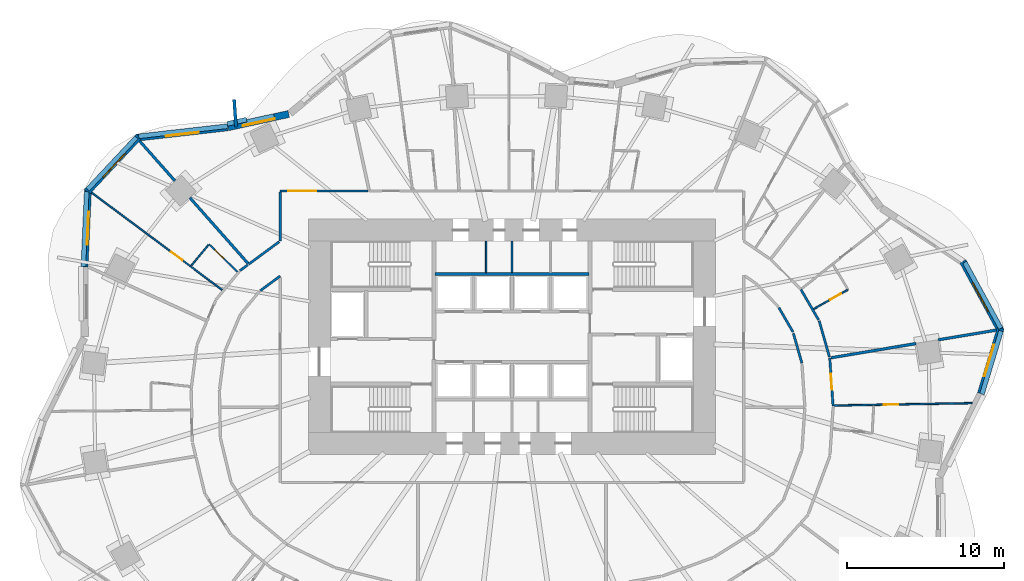
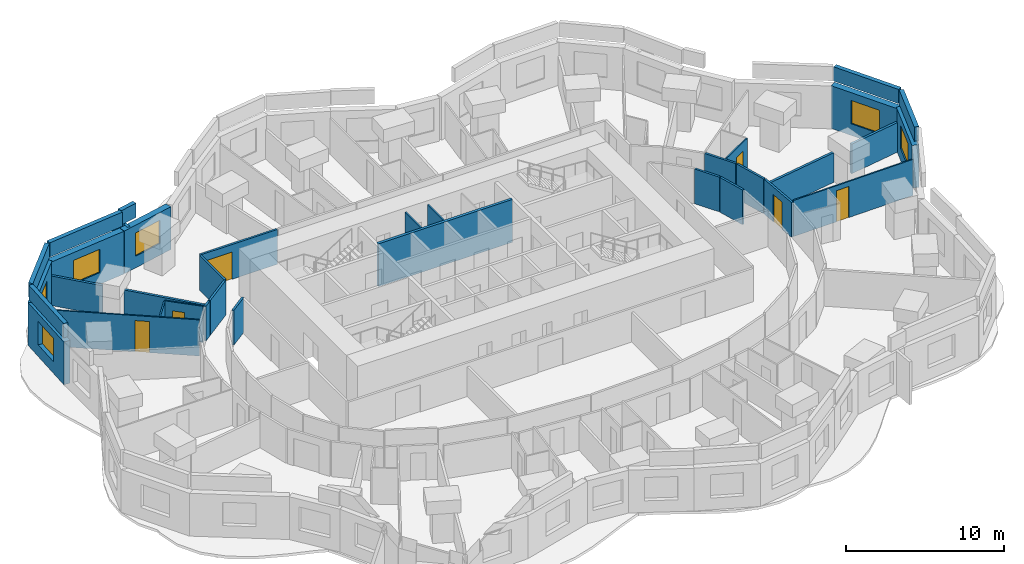
# One storey, part 8 of 12: 35 walls, 6 doors, 6 windows, 12 openings.
"""IFC4 building model written with IfcOpenShell, lengths in metres."""

from ifc_helpers import new_model, si_unit, direction, frame, frame_2d, origin, place, context, subcontext, project, spatial, rectangle, extrude, material, layer, layer_set, type_object, element, fill, save


model = new_model("IFC4")

# Units and contexts
model_context = context("Model", 3, precision=1e-05, world=origin(), true_north=direction((0.0, 1.0)))
body_context = subcontext(model_context, "Body", "Model", "MODEL_VIEW")
ifc_project = project(units=[si_unit("LENGTHUNIT", "METRE"), si_unit("AREAUNIT", "SQUARE_METRE"), si_unit("VOLUMEUNIT", "CUBIC_METRE"), si_unit("PLANEANGLEUNIT", "RADIAN"), si_unit("MASSUNIT", "GRAM", prefix="KILO")], contexts=[model_context])

# Site, building, storey
site_placement = place(None, origin())
site = spatial("IfcSite", under=ifc_project, at=site_placement, CompositionType="ELEMENT")
building_placement = place(site_placement, origin())
building = spatial("IfcBuilding", under=site, at=building_placement, Name="Rubra Terraces Tower", CompositionType="ELEMENT")
storey_placement = place(building_placement, frame((0.0, 0.0, 73.5)))
storey = spatial("IfcBuildingStorey", under=building, at=storey_placement, Name="L16", CompositionType="ELEMENT", Elevation=73.5)

# Walls
ifc_material_1 = material(Name="Twin plasterboard on staggered steel stud, acoustic mineral wool", Category="steel")
ifc_layer_1 = layer(ifc_material_1, 0.175048828125)
ifc_layer_set_1 = layer_set([ifc_layer_1], Name="Twin plasterboard on staggered steel stud, acoustic mineral wool")
wall_type_1 = type_object("IfcWallType", Name="ACOUSTIC PARTY WALL 175 LOW HEAD", PredefinedType="PARTITIONING", material=ifc_layer_set_1)
wall_1_placement = place(storey_placement, frame((-23.767333984375, 16.9951171875, 0.0), z_axis=(0.0, 0.0, 1.0), x_axis=(0.662714726813, -0.748871945572, 0.0)))
element("IfcWall", 1, at=wall_1_placement, inside=storey, type_object=wall_type_1, Name="PARTITION", PredefinedType="PARTITIONING", context=body_context, shape_type="SweptSolid", body=[
    extrude(rectangle(XDim=3.4033203125, YDim=0.175048828125, at=frame_2d((1.70166015625, 0.0))), origin(), (0.0, 0.0, 1.0), 2.280029296875),
])
wall_2_placement = place(storey_placement, frame((-20.5576171875, 13.3681640625, 0.0), z_axis=(0.0, 0.0, 1.0), x_axis=(0.662734219401, -0.748854695141, 0.0)))
element("IfcWall", 2, at=wall_2_placement, inside=storey, type_object=wall_type_1, Name="PARTITION", PredefinedType="PARTITIONING", context=body_context, shape_type="SweptSolid", body=[
    extrude(rectangle(XDim=5.584716796875, YDim=0.175048828125, at=frame_2d((2.79248046875, 0.0))), origin(), (0.0, 0.0, 1.0), 2.280029296875),
])
wall_3_placement = place(storey_placement, frame((30.914306640625, 4.923095703125, 0.0), z_axis=(0.0, 0.0, 1.0), x_axis=(-0.986255007441, -0.165230324995, 0.0)))
element("IfcWall", 3, at=wall_3_placement, inside=storey, type_object=wall_type_1, Name="PARTITION", PredefinedType="PARTITIONING", context=body_context, shape_type="SweptSolid", body=[
    extrude(rectangle(XDim=3.761962890625, YDim=0.175048828125, at=frame_2d((1.880859375, 0.0))), origin(), (0.0, 0.0, 1.0), 2.280029296875),
])
wall_4_placement = place(storey_placement, frame((25.78369140625, 4.063720703125, 0.0), z_axis=(0.0, 0.0, 1.0), x_axis=(-0.986264115996, -0.165175947092, 0.0)))
element("IfcWall", 4, at=wall_4_placement, inside=storey, type_object=wall_type_1, Name="PARTITION", PredefinedType="PARTITIONING", context=body_context, shape_type="SweptSolid", body=[
    extrude(rectangle(XDim=5.5029296875, YDim=0.175048828125, at=frame_2d((2.75146484375, 0.0))), origin(), (0.0, 0.0, 1.0), 2.280029296875),
])

# Wall, opening, window
ifc_material_2 = material(Name="Brick masonry red-brown", Category="masonry")
ifc_layer_2 = layer(ifc_material_2, 0.449951171875)
ifc_layer_set_2 = layer_set([ifc_layer_2], Name="Brick masonry red-brown")
wall_type_2 = type_object("IfcWallType", Name="Brick facade wall 450", PredefinedType="SOLIDWALL", material=ifc_layer_set_2)
wall_5_placement = place(storey_placement, frame((29.926513671875, 0.86474609375, 0.0), z_axis=(0.0, 0.0, 1.0), x_axis=(0.289432445378, 0.957198443147, 0.0)))
wall_5 = element("IfcWall", 5, at=wall_5_placement, inside=storey, type_object=wall_type_2, Name="Facade wall L16 bay 1", PredefinedType="SOLIDWALL", context=body_context, shape_type="SweptSolid", body=[
    extrude(rectangle(XDim=4.361083984375, YDim=0.449951171875, at=frame_2d((2.1806640625, 0.0))), origin(), (0.0, 0.0, 1.0), 3.300048828125),
])
opening_1_placement = place(wall_5_placement, frame((1.130615234375, 0.0, 0.89990234375)))
opening_1 = element("IfcOpeningElement", 6, at=opening_1_placement, cuts=wall_5, Name="Opening W1Z", PredefinedType="OPENING", context=body_context, shape_type="SweptSolid", body=[
    extrude(rectangle(XDim=2.10009765625, YDim=1.800048828125, at=frame_2d((1.050048828125, 0.89990234375))), frame((0.0, 0.23486328125, 0.0), z_axis=(0.0, -1.0, 0.0), x_axis=(1.0, 0.0, 0.0)), (0.0, 0.0, 1.0), 0.469970703125),
])
ifc_material_3 = material(Name="Clear glass in aluminium frame", Category="aluminium")
window_type = type_object("IfcWindowType", Name="Fixed deep-set window under transfer level 2100 x 1800", PartitioningType="SINGLE_PANEL", PredefinedType="WINDOW", material=ifc_material_3)
window_1_placement = place(opening_1_placement, origin())
window_1 = element("IfcWindow", 7, at=window_1_placement, inside=storey, type_object=window_type, Name="Window L16 bay 1", OverallHeight=1.800048828125, OverallWidth=2.10009765625, PartitioningType="SINGLE_PANEL", PredefinedType="WINDOW", context=body_context, shape_type="SweptSolid", body=[
    extrude(rectangle(XDim=2.10009765625, YDim=1.800048828125, at=frame_2d((1.050048828125, 0.89990234375))), frame((0.0, 0.135009765625, 0.0), z_axis=(0.0, -1.0, 0.0), x_axis=(1.0, 0.0, 0.0)), (0.0, 0.0, 1.0), 0.06005859375),
])
fill(opening_1, window_1)

wall_6_placement = place(storey_placement, frame((31.20654296875, 4.8662109375, 0.0), z_axis=(0.0, 0.0, 1.0), x_axis=(-0.479565142605, 0.877506281458, 0.0)))
wall_6 = element("IfcWall", 8, at=wall_6_placement, inside=storey, type_object=wall_type_2, Name="Facade wall L16 bay 2", PredefinedType="SOLIDWALL", context=body_context, shape_type="SweptSolid", body=[
    extrude(rectangle(XDim=5.060791015625, YDim=0.449951171875, at=frame_2d((2.5302734375, 0.0))), origin(), (0.0, 0.0, 1.0), 3.300048828125),
])
opening_2_placement = place(wall_6_placement, frame((1.48046875, 0.0, 0.89990234375)))
opening_2 = element("IfcOpeningElement", 9, at=opening_2_placement, cuts=wall_6, Name="Opening W1Z", PredefinedType="OPENING", context=body_context, shape_type="SweptSolid", body=[
    extrude(rectangle(XDim=2.10009765625, YDim=1.800048828125, at=frame_2d((1.050048828125, 0.89990234375))), frame((0.0, 0.23486328125, 0.0), z_axis=(0.0, -1.0, 0.0), x_axis=(1.0, 0.0, 0.0)), (0.0, 0.0, 1.0), 0.469970703125),
])
window_2_placement = place(opening_2_placement, origin())
window_2 = element("IfcWindow", 10, at=window_2_placement, inside=storey, type_object=window_type, Name="Window L16 bay 2", OverallHeight=1.800048828125, OverallWidth=2.10009765625, PartitioningType="SINGLE_PANEL", PredefinedType="WINDOW", context=body_context, shape_type="SweptSolid", body=[
    extrude(rectangle(XDim=2.10009765625, YDim=1.800048828125, at=frame_2d((1.050048828125, 0.89990234375))), frame((0.0, 0.135009765625, 0.0), z_axis=(0.0, -1.0, 0.0), x_axis=(1.0, 0.0, 0.0)), (0.0, 0.0, 1.0), 0.06005859375),
])
fill(opening_2, window_2)

wall_7_placement = place(storey_placement, frame((-14.250732421875, 18.71826171875, 0.0), z_axis=(0.0, 0.0, 1.0), x_axis=(-0.976903627618, -0.213680374267, 0.0)))
wall_7 = element("IfcWall", 11, at=wall_7_placement, inside=storey, type_object=wall_type_2, Name="Facade wall L16 bay 15", PredefinedType="SOLIDWALL", context=body_context, shape_type="SweptSolid", body=[
    extrude(rectangle(XDim=3.970458984375, YDim=0.449951171875, at=frame_2d((1.9853515625, 0.0))), origin(), (0.0, 0.0, 1.0), 3.300048828125),
])
opening_3_placement = place(wall_7_placement, frame((0.93505859375, 0.0, 0.89990234375)))
opening_3 = element("IfcOpeningElement", 12, at=opening_3_placement, cuts=wall_7, Name="Opening W1Z", PredefinedType="OPENING", context=body_context, shape_type="SweptSolid", body=[
    extrude(rectangle(XDim=2.10009765625, YDim=1.800048828125, at=frame_2d((1.050048828125, 0.89990234375))), frame((0.0, 0.23486328125, 0.0), z_axis=(0.0, -1.0, 0.0), x_axis=(1.0, 0.0, 0.0)), (0.0, 0.0, 1.0), 0.469970703125),
])
window_3_placement = place(opening_3_placement, origin())
window_3 = element("IfcWindow", 13, at=window_3_placement, inside=storey, type_object=window_type, Name="Window L16 bay 15", OverallHeight=1.800048828125, OverallWidth=2.10009765625, PartitioningType="SINGLE_PANEL", PredefinedType="WINDOW", context=body_context, shape_type="SweptSolid", body=[
    extrude(rectangle(XDim=2.10009765625, YDim=1.800048828125, at=frame_2d((1.050048828125, 0.89990234375))), frame((0.0, 0.135009765625, 0.0), z_axis=(0.0, -1.0, 0.0), x_axis=(1.0, 0.0, 0.0)), (0.0, 0.0, 1.0), 0.06005859375),
])
fill(opening_3, window_3)

wall_8_placement = place(storey_placement, frame((-18.154296875, 17.864990234375, 0.0), z_axis=(0.0, 0.0, 1.0), x_axis=(-0.993572909097, -0.113193967633, 0.0)))
wall_8 = element("IfcWall", 14, at=wall_8_placement, inside=storey, type_object=wall_type_2, Name="Facade wall L16 bay 16", PredefinedType="SOLIDWALL", context=body_context, shape_type="SweptSolid", body=[
    extrude(rectangle(XDim=5.838623046875, YDim=0.449951171875, at=frame_2d((2.91943359375, 0.0))), origin(), (0.0, 0.0, 1.0), 3.300048828125),
])
opening_4_placement = place(wall_8_placement, frame((1.869384765625, 0.0, 0.89990234375)))
opening_4 = element("IfcOpeningElement", 15, at=opening_4_placement, cuts=wall_8, Name="Opening W1Z", PredefinedType="OPENING", context=body_context, shape_type="SweptSolid", body=[
    extrude(rectangle(XDim=2.10009765625, YDim=1.800048828125, at=frame_2d((1.050048828125, 0.89990234375))), frame((0.0, 0.23486328125, 0.0), z_axis=(0.0, -1.0, 0.0), x_axis=(1.0, 0.0, 0.0)), (0.0, 0.0, 1.0), 0.469970703125),
])
window_4_placement = place(opening_4_placement, origin())
window_4 = element("IfcWindow", 16, at=window_4_placement, inside=storey, type_object=window_type, Name="Window L16 bay 16", OverallHeight=1.800048828125, OverallWidth=2.10009765625, PartitioningType="SINGLE_PANEL", PredefinedType="WINDOW", context=body_context, shape_type="SweptSolid", body=[
    extrude(rectangle(XDim=2.10009765625, YDim=1.800048828125, at=frame_2d((1.050048828125, 0.89990234375))), frame((0.0, 0.135009765625, 0.0), z_axis=(0.0, -1.0, 0.0), x_axis=(1.0, 0.0, 0.0)), (0.0, 0.0, 1.0), 0.06005859375),
])
fill(opening_4, window_4)

wall_9_placement = place(storey_placement, frame((-23.822021484375, 17.273193359375, 0.0), z_axis=(0.0, 0.0, 1.0), x_axis=(-0.684173167988, -0.729319598122, 0.0)))
wall_9 = element("IfcWall", 17, at=wall_9_placement, inside=storey, type_object=wall_type_2, Name="Facade wall L16 bay 17", PredefinedType="SOLIDWALL", context=body_context, shape_type="SweptSolid", body=[
    extrude(rectangle(XDim=4.8291015625, YDim=0.449951171875, at=frame_2d((2.41455078125, 0.0))), origin(), (0.0, 0.0, 1.0), 3.300048828125),
])
opening_5_placement = place(wall_9_placement, frame((1.364501953125, 0.0, 0.89990234375)))
opening_5 = element("IfcOpeningElement", 18, at=opening_5_placement, cuts=wall_9, Name="Opening W1Z", PredefinedType="OPENING", context=body_context, shape_type="SweptSolid", body=[
    extrude(rectangle(XDim=2.10009765625, YDim=1.800048828125, at=frame_2d((1.050048828125, 0.89990234375))), frame((0.0, 0.23486328125, 0.0), z_axis=(0.0, -1.0, 0.0), x_axis=(1.0, 0.0, 0.0)), (0.0, 0.0, 1.0), 0.469970703125),
])
window_5_placement = place(opening_5_placement, origin())
window_5 = element("IfcWindow", 19, at=window_5_placement, inside=storey, type_object=window_type, Name="Window L16 bay 17", OverallHeight=1.800048828125, OverallWidth=2.10009765625, PartitioningType="SINGLE_PANEL", PredefinedType="WINDOW", context=body_context, shape_type="SweptSolid", body=[
    extrude(rectangle(XDim=2.10009765625, YDim=1.800048828125, at=frame_2d((1.050048828125, 0.89990234375))), frame((0.0, 0.135009765625, 0.0), z_axis=(0.0, -1.0, 0.0), x_axis=(1.0, 0.0, 0.0)), (0.0, 0.0, 1.0), 0.06005859375),
])
fill(opening_5, window_5)

wall_10_placement = place(storey_placement, frame((-27.0654296875, 13.889892578125, 0.0), z_axis=(0.0, 0.0, 1.0), x_axis=(-0.044544250924, -0.99900741224, 0.0)))
wall_10 = element("IfcWall", 20, at=wall_10_placement, inside=storey, type_object=wall_type_2, Name="Facade wall L16 bay 18", PredefinedType="SOLIDWALL", context=body_context, shape_type="SweptSolid", body=[
    extrude(rectangle(XDim=4.938232421875, YDim=0.449951171875, at=frame_2d((2.46923828125, 0.0))), origin(), (0.0, 0.0, 1.0), 3.300048828125),
])
opening_6_placement = place(wall_10_placement, frame((1.419189453125, 0.0, 0.89990234375)))
opening_6 = element("IfcOpeningElement", 21, at=opening_6_placement, cuts=wall_10, Name="Opening W1Z", PredefinedType="OPENING", context=body_context, shape_type="SweptSolid", body=[
    extrude(rectangle(XDim=2.10009765625, YDim=1.800048828125, at=frame_2d((1.050048828125, 0.89990234375))), frame((0.0, 0.23486328125, 0.0), z_axis=(0.0, -1.0, 0.0), x_axis=(1.0, 0.0, 0.0)), (0.0, 0.0, 1.0), 0.469970703125),
])
window_6_placement = place(opening_6_placement, origin())
window_6 = element("IfcWindow", 22, at=window_6_placement, inside=storey, type_object=window_type, Name="Window L16 bay 18", OverallHeight=1.800048828125, OverallWidth=2.10009765625, PartitioningType="SINGLE_PANEL", PredefinedType="WINDOW", context=body_context, shape_type="SweptSolid", body=[
    extrude(rectangle(XDim=2.10009765625, YDim=1.800048828125, at=frame_2d((1.050048828125, 0.89990234375))), frame((0.0, 0.135009765625, 0.0), z_axis=(0.0, -1.0, 0.0), x_axis=(1.0, 0.0, 0.0)), (0.0, 0.0, 1.0), 0.06005859375),
])
fill(opening_6, window_6)

# Walls
ifc_layer_3 = layer(ifc_material_2, 0.300048828125)
ifc_layer_set_3 = layer_set([ifc_layer_3], Name="Brick masonry red-brown")
wall_type_3 = type_object("IfcWallType", Name="Brick parapet 300", PredefinedType="PARAPET", material=ifc_layer_set_3)
wall_11_placement = place(storey_placement, frame((29.998291015625, 0.843017578125, 3.60009765625), z_axis=(0.0, 0.0, 1.0), x_axis=(0.289403108737, 0.95720731331, 0.0)))
element("IfcWall", 23, at=wall_11_placement, inside=storey, type_object=wall_type_3, Name="Parapet L16 bay 1", PredefinedType="PARAPET", context=body_context, shape_type="SweptSolid", body=[
    extrude(rectangle(XDim=4.205322265625, YDim=0.300048828125, at=frame_2d((2.1025390625, 0.0))), origin(), (0.0, 0.0, 1.0), 1.099853515625),
])
wall_12_placement = place(storey_placement, frame((31.19775390625, 5.038818359375, 3.60009765625), z_axis=(0.0, 0.0, 1.0), x_axis=(-0.479564593641, 0.877506581472, 0.0)))
element("IfcWall", 24, at=wall_12_placement, inside=storey, type_object=wall_type_3, Name="Parapet L16 bay 2", PredefinedType="PARAPET", context=body_context, shape_type="SweptSolid", body=[
    extrude(rectangle(XDim=4.80078125, YDim=0.300048828125, at=frame_2d((2.400390625, 0.0))), origin(), (0.0, 0.0, 1.0), 1.099853515625),
])
wall_13_placement = place(storey_placement, frame((-16.942626953125, 18.359619140625, 3.60009765625), z_axis=(0.0, 0.0, 1.0), x_axis=(-0.976910180777, -0.213650412343, 0.0)))
element("IfcWall", 25, at=wall_13_placement, inside=storey, type_object=wall_type_3, Name="Parapet L16 bay 15", PredefinedType="PARAPET", context=body_context, shape_type="SweptSolid", body=[
    extrude(rectangle(XDim=1.253662109375, YDim=0.300048828125, at=frame_2d((0.626953125, 0.0))), origin(), (0.0, 0.0, 1.0), 1.099853515625),
])
wall_14_placement = place(storey_placement, frame((-18.16455078125, 17.939208984375, 3.60009765625), z_axis=(0.0, 0.0, 1.0), x_axis=(-0.99357552433, -0.113171009774, 0.0)))
element("IfcWall", 26, at=wall_14_placement, inside=storey, type_object=wall_type_3, Name="Parapet L16 bay 16", PredefinedType="PARAPET", context=body_context, shape_type="SweptSolid", body=[
    extrude(rectangle(XDim=5.70166015625, YDim=0.300048828125, at=frame_2d((2.850830078125, 0.0))), origin(), (0.0, 0.0, 1.0), 1.099853515625),
])
wall_15_placement = place(storey_placement, frame((-23.972412109375, 17.22216796875, 3.60009765625), z_axis=(0.0, 0.0, 1.0), x_axis=(-0.684173231326, -0.729319538705, 0.0)))
element("IfcWall", 27, at=wall_15_placement, inside=storey, type_object=wall_type_3, Name="Parapet L16 bay 17", PredefinedType="PARAPET", context=body_context, shape_type="SweptSolid", body=[
    extrude(rectangle(XDim=4.5478515625, YDim=0.300048828125, at=frame_2d((2.27392578125, 0.0))), origin(), (0.0, 0.0, 1.0), 1.099853515625),
])
wall_16_placement = place(storey_placement, frame((-27.146484375, 13.75732421875, 3.60009765625), z_axis=(0.0, 0.0, 1.0), x_axis=(-0.044503972994, -0.999009207359, 0.0)))
element("IfcWall", 28, at=wall_16_placement, inside=storey, type_object=wall_type_3, Name="Parapet L16 bay 18", PredefinedType="PARAPET", context=body_context, shape_type="SweptSolid", body=[
    extrude(rectangle(XDim=4.76708984375, YDim=0.300048828125, at=frame_2d((2.383544921875, 0.0))), origin(), (0.0, 0.0, 1.0), 1.099853515625),
])
ifc_layer_4 = layer(ifc_material_2, 0.199951171875)
ifc_layer_set_4 = layer_set([ifc_layer_4], Name="Brick masonry red-brown")
wall_type_4 = type_object("IfcWallType", Name="Brick wind fin 200", PredefinedType="SOLIDWALL", material=ifc_layer_set_4)
wall_17_placement = place(storey_placement, frame((-17.614013671875, 17.90087890625, 0.0), z_axis=(0.0, 0.0, 1.0), x_axis=(-0.069750000204, 0.997564502913, 0.0)))
element("IfcWall", 29, at=wall_17_placement, inside=storey, type_object=wall_type_4, Name="Wind fin L16 9", PredefinedType="SOLIDWALL", context=body_context, shape_type="SweptSolid", body=[
    extrude(rectangle(XDim=1.75, YDim=0.199951171875, at=frame_2d((0.875, 0.0))), origin(), (0.0, 0.0, 1.0), 3.300048828125),
])

# Wall, opening, door
ifc_material_4 = material(Name="Plasterboard on steel stud, mineral wool infill", Category="steel")
ifc_layer_5 = layer(ifc_material_4, 0.14990234375)
ifc_layer_set_5 = layer_set([ifc_layer_5], Name="Plasterboard on steel stud, mineral wool infill")
wall_type_5 = type_object("IfcWallType", Name="CORRIDOR PARTITION 150", PredefinedType="PARTITIONING", material=ifc_layer_set_5)
wall_18_placement = place(storey_placement, frame((-9.18701171875, 13.800048828125, 0.0), z_axis=(0.0, 0.0, 1.0), x_axis=(-1.0, 0.0, 0.0)))
wall_18 = element("IfcWall", 30, at=wall_18_placement, inside=storey, type_object=wall_type_5, Name="PARTITION", PredefinedType="PARTITIONING", context=body_context, shape_type="SweptSolid", body=[
    extrude(rectangle(XDim=5.613037109375, YDim=0.14990234375, at=frame_2d((2.806640625, 0.0))), origin(), (0.0, 0.0, 1.0), 2.68408203125),
])
opening_7_placement = place(wall_18_placement, frame((3.300048828125, 0.0, 0.0)))
opening_7 = element("IfcOpeningElement", 31, at=opening_7_placement, cuts=wall_18, Name="Opening 16-107", PredefinedType="OPENING", context=body_context, shape_type="SweptSolid", body=[
    extrude(rectangle(XDim=1.800048828125, YDim=2.10009765625, at=frame_2d((0.89990234375, 1.050048828125))), frame((0.0, 0.0849609375, 0.0), z_axis=(0.0, -1.0, 0.0), x_axis=(1.0, 0.0, 0.0)), (0.0, 0.0, 1.0), 0.169921875),
])
ifc_material_5 = material(Name="Painted timber door leaf, double", Category="wood")
door_type_1 = type_object("IfcDoorType", Name="ROOM DOUBLE DOOR 1800 X 2100", OperationType="DOUBLE_DOOR_SINGLE_SWING", PredefinedType="DOOR", material=ifc_material_5)
door_1_placement = place(opening_7_placement, origin())
door_1 = element("IfcDoor", 32, at=door_1_placement, inside=storey, type_object=door_type_1, Name="DOOR 16-107", OperationType="DOUBLE_DOOR_SINGLE_SWING", OverallHeight=2.10009765625, OverallWidth=1.800048828125, PredefinedType="DOOR", context=body_context, shape_type="SweptSolid", body=[
    extrude(rectangle(XDim=1.800048828125, YDim=2.10009765625, at=frame_2d((0.89990234375, 1.050048828125))), frame((0.0, 0.02490234375, 0.0), z_axis=(0.0, -1.0, 0.0), x_axis=(1.0, 0.0, 0.0)), (0.0, 0.0, 1.0), 0.050048828125),
])
fill(opening_7, door_1)

# Walls
wall_19_placement = place(storey_placement, frame((-14.800048828125, 13.72509765625, 0.0), z_axis=(0.0, 0.0, 1.0), x_axis=(0.0, -1.0, 0.0)))
element("IfcWall", 33, at=wall_19_placement, inside=storey, type_object=wall_type_5, Name="PARTITION", PredefinedType="PARTITIONING", context=body_context, shape_type="SweptSolid", body=[
    extrude(rectangle(XDim=3.11767578125, YDim=0.14990234375, at=frame_2d((1.558837890625, 0.0))), origin(), (0.0, 0.0, 1.0), 2.68408203125),
])
wall_20_placement = place(storey_placement, frame((-14.860595703125, 10.56298828125, 0.0), z_axis=(0.0, 0.0, 1.0), x_axis=(-0.805253823387, -0.592930248781, 0.0)))
element("IfcWall", 34, at=wall_20_placement, inside=storey, type_object=wall_type_5, Name="PARTITION", PredefinedType="PARTITIONING", context=body_context, shape_type="SweptSolid", body=[
    extrude(rectangle(XDim=2.4169921875, YDim=0.14990234375, at=frame_2d((1.20849609375, 0.0))), origin(), (0.0, 0.0, 1.0), 2.68408203125),
])
wall_21_placement = place(storey_placement, frame((-16.8671875, 9.085205078125, 0.0), z_axis=(0.0, 0.0, 1.0), x_axis=(-0.805381102541, -0.592757353113, 0.0)))
element("IfcWall", 35, at=wall_21_placement, inside=storey, type_object=wall_type_5, Name="PARTITION", PredefinedType="PARTITIONING", context=body_context, shape_type="SweptSolid", body=[
    extrude(rectangle(XDim=0.622314453125, YDim=0.14990234375, at=frame_2d((0.31103515625, 0.0))), origin(), (0.0, 0.0, 1.0), 2.68408203125),
])

# Wall, opening, door
wall_22_placement = place(storey_placement, frame((20.493408203125, 0.07470703125, 0.0), z_axis=(0.0, 0.0, 1.0), x_axis=(-0.068600445792, 0.997644214556, 0.0)))
wall_22 = element("IfcWall", 36, at=wall_22_placement, inside=storey, type_object=wall_type_5, Name="PARTITION", PredefinedType="PARTITIONING", context=body_context, shape_type="SweptSolid", body=[
    extrude(rectangle(XDim=3.074951171875, YDim=0.14990234375, at=frame_2d((1.53759765625, 0.0))), origin(), (0.0, 0.0, 1.0), 2.68408203125),
])
opening_8_placement = place(wall_22_placement, frame((1.054931640625, 0.0, 0.0)))
opening_8 = element("IfcOpeningElement", 37, at=opening_8_placement, cuts=wall_22, Name="Opening 16-130", PredefinedType="OPENING", context=body_context, shape_type="SweptSolid", body=[
    extrude(rectangle(XDim=1.0, YDim=2.10009765625, at=frame_2d((0.5, 1.050048828125))), frame((0.0, 0.0849609375, 0.0), z_axis=(0.0, -1.0, 0.0), x_axis=(1.0, 0.0, 0.0)), (0.0, 0.0, 1.0), 0.169921875),
])
ifc_material_6 = material(Name="Painted timber door leaf", Category="wood")
door_type_2 = type_object("IfcDoorType", Name="ROOM DOOR 1000 X 2100", OperationType="SINGLE_SWING_LEFT", PredefinedType="DOOR", material=ifc_material_6)
door_2_placement = place(opening_8_placement, origin())
door_2 = element("IfcDoor", 38, at=door_2_placement, inside=storey, type_object=door_type_2, Name="DOOR 16-130", OperationType="SINGLE_SWING_RIGHT", OverallHeight=2.10009765625, OverallWidth=1.0, PredefinedType="DOOR", context=body_context, shape_type="SweptSolid", body=[
    extrude(rectangle(XDim=1.0, YDim=2.10009765625, at=frame_2d((0.5, 1.050048828125))), frame((0.0, 0.02490234375, 0.0), z_axis=(0.0, -1.0, 0.0), x_axis=(1.0, 0.0, 0.0)), (0.0, 0.0, 1.0), 0.050048828125),
])
fill(opening_8, door_2)

# Walls
wall_23_placement = place(storey_placement, frame((20.26171875, 3.21435546875, 0.0), z_axis=(0.0, 0.0, 1.0), x_axis=(-0.274235283905, 0.961662627464, 0.0)))
element("IfcWall", 39, at=wall_23_placement, inside=storey, type_object=wall_type_5, Name="PARTITION", PredefinedType="PARTITIONING", context=body_context, shape_type="SweptSolid", body=[
    extrude(rectangle(XDim=2.389404296875, YDim=0.14990234375, at=frame_2d((1.19482421875, 0.0))), origin(), (0.0, 0.0, 1.0), 2.68408203125),
])
wall_24_placement = place(storey_placement, frame((19.56884765625, 5.576904296875, 0.0), z_axis=(0.0, 0.0, 1.0), x_axis=(-0.502457989762, 0.864601624174, 0.0)))
element("IfcWall", 40, at=wall_24_placement, inside=storey, type_object=wall_type_5, Name="PARTITION", PredefinedType="PARTITIONING", context=body_context, shape_type="SweptSolid", body=[
    extrude(rectangle(XDim=2.246337890625, YDim=0.14990234375, at=frame_2d((1.123046875, 0.0))), origin(), (0.0, 0.0, 1.0), 2.68408203125),
])
wall_25_placement = place(storey_placement, frame((17.031982421875, 6.35986328125, 0.0), z_axis=(0.0, 0.0, 1.0), x_axis=(0.502488551999, -0.864583862393, 0.0)))
element("IfcWall", 41, at=wall_25_placement, inside=storey, type_object=wall_type_5, Name="PARTITION", PredefinedType="PARTITIONING", context=body_context, shape_type="SweptSolid", body=[
    extrude(rectangle(XDim=1.801513671875, YDim=0.14990234375, at=frame_2d((0.90087890625, 0.0))), origin(), (0.0, 0.0, 1.0), 2.68408203125),
])
wall_26_placement = place(storey_placement, frame((17.957763671875, 4.72998046875, 0.0), z_axis=(0.0, 0.0, 1.0), x_axis=(0.274315841816, -0.961639651288, 0.0)))
element("IfcWall", 42, at=wall_26_placement, inside=storey, type_object=wall_type_5, Name="PARTITION", PredefinedType="PARTITIONING", context=body_context, shape_type="SweptSolid", body=[
    extrude(rectangle(XDim=1.9892578125, YDim=0.14990234375, at=frame_2d((0.99462890625, 0.0))), origin(), (0.0, 0.0, 1.0), 2.68408203125),
])
wall_27_placement = place(storey_placement, frame((-16.061767578125, 7.443115234375, 0.0), z_axis=(0.0, 0.0, 1.0), x_axis=(0.805204624788, 0.5929970592, 0.0)))
element("IfcWall", 43, at=wall_27_placement, inside=storey, type_object=wall_type_5, Name="PARTITION", PredefinedType="PARTITIONING", context=body_context, shape_type="SweptSolid", body=[
    extrude(rectangle(XDim=1.56689453125, YDim=0.14990234375, at=frame_2d((0.783447265625, 0.0))), origin(), (0.0, 0.0, 1.0), 2.68408203125),
])
ifc_material_7 = material(Name="Concrete C30", Category="concrete")
ifc_layer_6 = layer(ifc_material_7, 0.199951171875)
ifc_layer_set_6 = layer_set([ifc_layer_6], Name="Concrete C30")
wall_type_6 = type_object("IfcWallType", Name="Core wall 200 concrete", PredefinedType="SOLIDWALL", material=ifc_layer_set_6)
wall_28_placement = place(storey_placement, frame((-4.89990234375, 8.5, 0.0), z_axis=(0.0, 0.0, 1.0), x_axis=(1.0, 0.0, 0.0)))
element("IfcWall", 44, at=wall_28_placement, inside=storey, type_object=wall_type_6, Name="LIFT SHAFT WALL L16", PredefinedType="SOLIDWALL", context=body_context, shape_type="SweptSolid", body=[
    extrude(rectangle(XDim=9.7998046875, YDim=0.199951171875, at=frame_2d((4.89990234375, 0.0))), origin(), (0.0, 0.0, 1.0), 3.300048828125),
])

# Wall, opening, door
ifc_material_8 = material(Name="Plasterboard on steel stud", Category="steel")
ifc_layer_7 = layer(ifc_material_8, 0.10009765625)
ifc_layer_set_7 = layer_set([ifc_layer_7], Name="Plasterboard on steel stud")
wall_type_7 = type_object("IfcWallType", Name="ROOM PARTITION 100", PredefinedType="PARTITIONING", material=ifc_layer_set_7)
wall_29_placement = place(storey_placement, frame((-26.843994140625, 13.715576171875, 0.0), z_axis=(0.0, 0.0, 1.0), x_axis=(0.801523054034, -0.597963873367, 0.0)))
wall_29 = element("IfcWall", 45, at=wall_29_placement, inside=storey, type_object=wall_type_7, Name="PARTITION", PredefinedType="PARTITIONING", context=body_context, shape_type="SweptSolid", body=[
    extrude(rectangle(XDim=10.42724609375, YDim=0.10009765625, at=frame_2d((5.213623046875, 0.0))), origin(), (0.0, 0.0, 1.0), 2.783935546875),
])
opening_9_placement = place(wall_29_placement, frame((6.35205078125, 0.0, 0.0)))
opening_9 = element("IfcOpeningElement", 46, at=opening_9_placement, cuts=wall_29, Name="Opening 16-109", PredefinedType="OPENING", context=body_context, shape_type="SweptSolid", body=[
    extrude(rectangle(XDim=0.89990234375, YDim=2.39990234375, at=frame_2d((0.449951171875, 1.199951171875))), frame((0.0, 0.06005859375, 0.0), z_axis=(0.0, -1.0, 0.0), x_axis=(1.0, 0.0, 0.0)), (0.0, 0.0, 1.0), 0.1201171875),
])
ifc_material_9 = material(Name="Veneered timber door leaf, fire-rated", Category="wood")
door_type_3 = type_object("IfcDoorType", Name="SUITE ENTRANCE DOOR 900 X 2400", OperationType="SINGLE_SWING_LEFT", PredefinedType="DOOR", material=ifc_material_9)
door_3_placement = place(opening_9_placement, origin())
door_3 = element("IfcDoor", 47, at=door_3_placement, inside=storey, type_object=door_type_3, Name="DOOR 16-109", OperationType="SINGLE_SWING_LEFT", OverallHeight=2.39990234375, OverallWidth=0.89990234375, PredefinedType="DOOR", context=body_context, shape_type="SweptSolid", body=[
    extrude(rectangle(XDim=0.89990234375, YDim=2.39990234375, at=frame_2d((0.449951171875, 1.199951171875))), frame((0.0, 0.02490234375, 0.0), z_axis=(0.0, -1.0, 0.0), x_axis=(1.0, 0.0, 0.0)), (0.0, 0.0, 1.0), 0.050048828125),
])
fill(opening_9, door_3)

wall_30_placement = place(storey_placement, frame((-17.52490234375, 8.644287109375, 0.0), z_axis=(0.0, 0.0, 1.0), x_axis=(-0.716661927844, 0.697420734692, 0.0)))
wall_30 = element("IfcWall", 48, at=wall_30_placement, inside=storey, type_object=wall_type_7, Name="PARTITION", PredefinedType="PARTITIONING", context=body_context, shape_type="SweptSolid", body=[
    extrude(rectangle(XDim=2.52490234375, YDim=0.10009765625, at=frame_2d((1.262451171875, 0.0))), origin(), (0.0, 0.0, 1.0), 2.783935546875),
])
opening_10_placement = place(wall_30_placement, frame((1.199951171875, 0.0, 0.0)))
opening_10 = element("IfcOpeningElement", 49, at=opening_10_placement, cuts=wall_30, Name="Opening 16-108", PredefinedType="OPENING", context=body_context, shape_type="SweptSolid", body=[
    extrude(rectangle(XDim=0.800048828125, YDim=2.10009765625, at=frame_2d((0.39990234375, 1.050048828125))), frame((0.0, 0.06005859375, 0.0), z_axis=(0.0, -1.0, 0.0), x_axis=(1.0, 0.0, 0.0)), (0.0, 0.0, 1.0), 0.1201171875),
])
door_type_4 = type_object("IfcDoorType", Name="BATHROOM DOOR 800 X 2100", OperationType="SINGLE_SWING_LEFT", PredefinedType="DOOR", material=ifc_material_6)
door_4_placement = place(opening_10_placement, origin())
door_4 = element("IfcDoor", 50, at=door_4_placement, inside=storey, type_object=door_type_4, Name="DOOR 16-108", OperationType="SINGLE_SWING_LEFT", OverallHeight=2.10009765625, OverallWidth=0.800048828125, PredefinedType="DOOR", context=body_context, shape_type="SweptSolid", body=[
    extrude(rectangle(XDim=0.800048828125, YDim=2.10009765625, at=frame_2d((0.39990234375, 1.050048828125))), frame((0.0, 0.02490234375, 0.0), z_axis=(0.0, -1.0, 0.0), x_axis=(1.0, 0.0, 0.0)), (0.0, 0.0, 1.0), 0.050048828125),
])
fill(opening_10, door_4)

# Wall
wall_31_placement = place(storey_placement, frame((-19.366455078125, 10.36669921875, 0.0), z_axis=(0.0, 0.0, 1.0), x_axis=(-0.63913466048, -0.76909484836, 0.0)))
element("IfcWall", 51, at=wall_31_placement, inside=storey, type_object=wall_type_7, Name="PARTITION", PredefinedType="PARTITIONING", context=body_context, shape_type="SweptSolid", body=[
    extrude(rectangle(XDim=1.739501953125, YDim=0.10009765625, at=frame_2d((0.86962890625, 0.0))), origin(), (0.0, 0.0, 1.0), 2.783935546875),
])

# Wall, opening, door
wall_32_placement = place(storey_placement, frame((29.367919921875, 0.26220703125, 0.0), z_axis=(0.0, 0.0, 1.0), x_axis=(-0.99985120268, -0.017250289805, 0.0)))
wall_32 = element("IfcWall", 52, at=wall_32_placement, inside=storey, type_object=wall_type_7, Name="PARTITION", PredefinedType="PARTITIONING", context=body_context, shape_type="SweptSolid", body=[
    extrude(rectangle(XDim=8.802978515625, YDim=0.10009765625, at=frame_2d((4.4013671875, 0.0))), origin(), (0.0, 0.0, 1.0), 2.783935546875),
])
opening_11_placement = place(wall_32_placement, frame((4.72802734375, 0.0, 0.0)))
opening_11 = element("IfcOpeningElement", 53, at=opening_11_placement, cuts=wall_32, Name="Opening 16-129", PredefinedType="OPENING", context=body_context, shape_type="SweptSolid", body=[
    extrude(rectangle(XDim=0.89990234375, YDim=2.39990234375, at=frame_2d((0.449951171875, 1.199951171875))), frame((0.0, 0.06005859375, 0.0), z_axis=(0.0, -1.0, 0.0), x_axis=(1.0, 0.0, 0.0)), (0.0, 0.0, 1.0), 0.1201171875),
])
door_5_placement = place(opening_11_placement, origin())
door_5 = element("IfcDoor", 54, at=door_5_placement, inside=storey, type_object=door_type_3, Name="DOOR 16-129", OperationType="SINGLE_SWING_LEFT", OverallHeight=2.39990234375, OverallWidth=0.89990234375, PredefinedType="DOOR", context=body_context, shape_type="SweptSolid", body=[
    extrude(rectangle(XDim=0.89990234375, YDim=2.39990234375, at=frame_2d((0.449951171875, 1.199951171875))), frame((0.0, 0.02490234375, 0.0), z_axis=(0.0, -1.0, 0.0), x_axis=(1.0, 0.0, 0.0)), (0.0, 0.0, 1.0), 0.050048828125),
])
fill(opening_11, door_5)

wall_33_placement = place(storey_placement, frame((19.25341796875, 6.268798828125, 0.0), z_axis=(0.0, 0.0, 1.0), x_axis=(0.870849008749, 0.4915506118, 0.0)))
wall_33 = element("IfcWall", 55, at=wall_33_placement, inside=storey, type_object=wall_type_7, Name="PARTITION", PredefinedType="PARTITIONING", context=body_context, shape_type="SweptSolid", body=[
    extrude(rectangle(XDim=2.525146484375, YDim=0.10009765625, at=frame_2d((1.2626953125, 0.0))), origin(), (0.0, 0.0, 1.0), 2.783935546875),
])
opening_12_placement = place(wall_33_placement, frame((1.199951171875, 0.0, 0.0)))
opening_12 = element("IfcOpeningElement", 56, at=opening_12_placement, cuts=wall_33, Name="Opening 16-131", PredefinedType="OPENING", context=body_context, shape_type="SweptSolid", body=[
    extrude(rectangle(XDim=0.800048828125, YDim=2.10009765625, at=frame_2d((0.39990234375, 1.050048828125))), frame((0.0, 0.06005859375, 0.0), z_axis=(0.0, -1.0, 0.0), x_axis=(1.0, 0.0, 0.0)), (0.0, 0.0, 1.0), 0.1201171875),
])
door_6_placement = place(opening_12_placement, origin())
door_6 = element("IfcDoor", 57, at=door_6_placement, inside=storey, type_object=door_type_4, Name="DOOR 16-131", OperationType="SINGLE_SWING_LEFT", OverallHeight=2.10009765625, OverallWidth=0.800048828125, PredefinedType="DOOR", context=body_context, shape_type="SweptSolid", body=[
    extrude(rectangle(XDim=0.800048828125, YDim=2.10009765625, at=frame_2d((0.39990234375, 1.050048828125))), frame((0.0, 0.02490234375, 0.0), z_axis=(0.0, -1.0, 0.0), x_axis=(1.0, 0.0, 0.0)), (0.0, 0.0, 1.0), 0.050048828125),
])
fill(opening_12, door_6)

# Walls
ifc_material_10 = material(Name="Blockwork", Category="masonry")
ifc_layer_8 = layer(ifc_material_10, 0.10009765625)
ifc_layer_set_8 = layer_set([ifc_layer_8], Name="Blockwork")
wall_type_8 = type_object("IfcWallType", Name="Service partition 100 blockwork", PredefinedType="PARTITIONING", material=ifc_layer_set_8)
for number, where, z_axis, x_axis, name in (
    (58, (-1.64990234375, 8.60009765625, 0.0), (0.0, 0.0, 1.0), (0.0, 1.0, 0.0), "SERVICE ROOM PARTITION L16"),
    (59, (0.0, 8.60009765625, 0.0), (0.0, 0.0, 1.0), (0.0, 1.0, 0.0), "SERVICE ROOM PARTITION L16"),
):
    element("IfcWall", number, at=place(storey_placement, frame(where, z_axis=z_axis, x_axis=x_axis)), inside=storey, type_object=wall_type_8, Name=name, PredefinedType="PARTITIONING", context=body_context, shape_type="SweptSolid", body=[
        extrude(rectangle(XDim=2.0, YDim=0.10009765625, at=frame_2d((1.0, 0.0))), origin(), (0.0, 0.0, 1.0), 3.300048828125),
    ])

save(model, "model.ifc")
